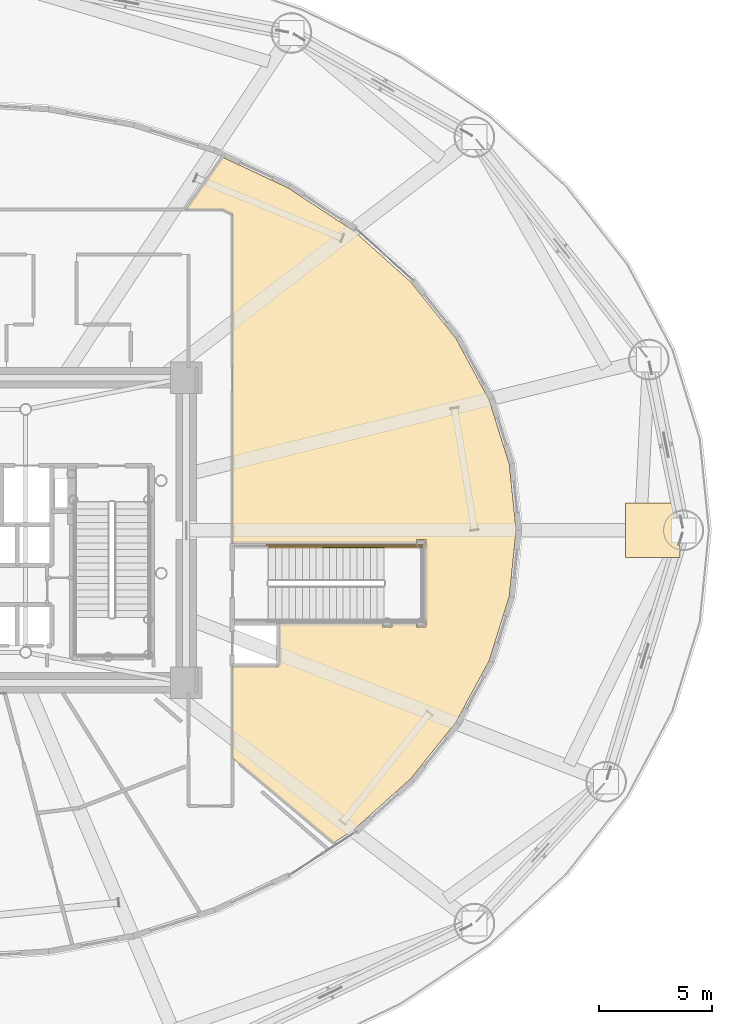
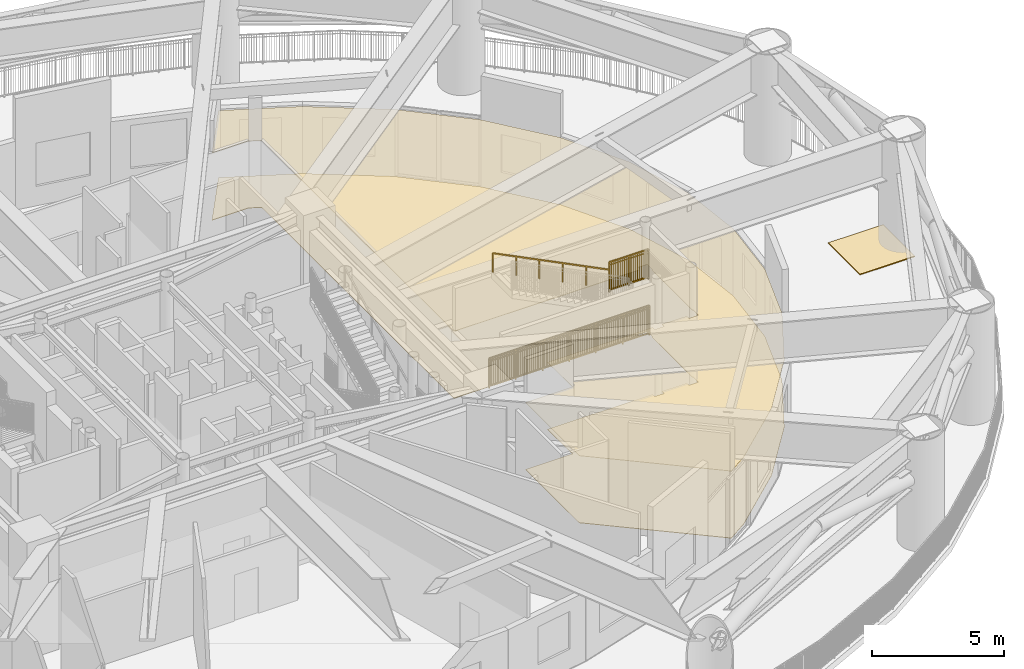
# One storey, part 39 of 39: 3 coverings, 3 railings.
"""IFC4 building model written with IfcOpenShell, lengths in metres."""

from ifc_helpers import new_model, si_unit, direction, frame, origin, origin_2d, place, context, subcontext, project, spatial, polyline, rectangle, outline, extrude, source, transform, mapped, material, layer, layer_set, type_object, element, save


model = new_model("IFC4")

# Units and contexts
model_context = context("Model", 3, precision=1e-05, world=origin(), true_north=direction((0.0, 1.0)))
body_context = subcontext(model_context, "Body", "Model", "MODEL_VIEW")
ifc_project = project(units=[si_unit("LENGTHUNIT", "METRE"), si_unit("AREAUNIT", "SQUARE_METRE"), si_unit("VOLUMEUNIT", "CUBIC_METRE"), si_unit("PLANEANGLEUNIT", "RADIAN"), si_unit("MASSUNIT", "GRAM", prefix="KILO")], contexts=[model_context])

# Site, building, storey
site_placement = place(None, origin())
site = spatial("IfcSite", under=ifc_project, at=site_placement, CompositionType="ELEMENT")
building_placement = place(site_placement, origin())
building = spatial("IfcBuilding", under=site, at=building_placement, Name="Linh Dai School and Residence Tower", CompositionType="ELEMENT")
storey_placement = place(building_placement, frame((0.0, 0.0, 27.0)))
storey = spatial("IfcBuildingStorey", under=building, at=storey_placement, Name="L06", CompositionType="ELEMENT", Elevation=27.0)

# Coverings
ifc_material_1 = material(Name="Mineral Fibre Acoustic Suspended Ceiling", Category="masonry")
ifc_layer_1 = layer(ifc_material_1, 0.02001953125)
ifc_layer_set_1 = layer_set([ifc_layer_1], Name="Mineral Fibre Acoustic Suspended Ceiling")
covering_type_1 = type_object("IfcCoveringType", Name="COV-CEIL-AC-20", PredefinedType="CEILING", material=ifc_layer_set_1)
covering_1_placement = place(storey_placement, frame((0.0, 0.0, 3.10009765625)))
element("IfcCovering", 1, at=covering_1_placement, inside=storey, type_object=covering_type_1, Name="L06 Indoor Wet-Weather Play Pavilion Suspended Ceiling", PredefinedType="CEILING", context=body_context, shape_type="SweptSolid", body=[
    extrude(outline(polyline([(55.882080078125, 16.004150390625), (53.38427734375, 13.763427734375), (52.47998046875, 13.171630859375), (48.0, 16.930908203125), (48.0, 21.0), (50.050048828125, 21.0), (50.050048828125, 22.8798828125), (54.646728515625, 22.8798828125), (54.646728515625, 22.716796875), (55.05322265625, 22.716796875), (55.05322265625, 22.8798828125), (56.146728515625, 22.8798828125), (56.146728515625, 22.716796875), (56.55322265625, 22.716796875), (56.55322265625, 23.123291015625), (56.52001953125, 23.123291015625), (56.52001953125, 26.1767578125), (56.55322265625, 26.1767578125), (56.55322265625, 26.583251953125), (56.146728515625, 26.583251953125), (56.146728515625, 26.419921875), (48.0, 26.419921875), (48.0, 40.98583984375), (47.543701171875, 41.199951171875), (45.94287109375, 41.199951171875), (47.5615234375, 43.511474609375), (50.45556640625, 42.15283203125), (53.38427734375, 40.236572265625), (55.882080078125, 37.995849609375), (57.888916015625, 35.4873046875), (59.35595703125, 32.773681640625), (60.249755859375, 29.921630859375), (60.550048828125, 27.0), (60.249755859375, 24.078369140625), (59.35595703125, 21.226318359375), (57.888916015625, 18.5126953125), (55.882080078125, 16.004150390625)])), origin(), (0.0, 0.0, 1.0), 0.02001953125),
])
ifc_material_2 = material(Name="Polished Terrazzo Floor Finish", Category="masonry")
ifc_layer_2 = layer(ifc_material_2, 0.02490234375)
ifc_layer_set_2 = layer_set([ifc_layer_2], Name="Polished Terrazzo Floor Finish")
covering_type_2 = type_object("IfcCoveringType", Name="COV-FLR-TRZ-25", PredefinedType="FLOORING", material=ifc_layer_set_2)
covering_2_placement = place(storey_placement, origin())
element("IfcCovering", 2, at=covering_2_placement, inside=storey, type_object=covering_type_2, Name="L06 Indoor Wet-Weather Play Pavilion Floor Finish", PredefinedType="FLOORING", context=body_context, shape_type="SweptSolid", body=[
    extrude(outline(polyline([(55.882080078125, 16.004150390625), (53.38427734375, 13.763427734375), (52.47998046875, 13.171630859375), (48.0, 16.930908203125), (48.0, 21.0), (50.050048828125, 21.0), (50.050048828125, 22.8798828125), (54.646728515625, 22.8798828125), (54.646728515625, 22.716796875), (55.05322265625, 22.716796875), (55.05322265625, 22.8798828125), (56.146728515625, 22.8798828125), (56.146728515625, 22.716796875), (56.55322265625, 22.716796875), (56.55322265625, 23.123291015625), (56.52001953125, 23.123291015625), (56.52001953125, 26.1767578125), (56.55322265625, 26.1767578125), (56.55322265625, 26.583251953125), (56.146728515625, 26.583251953125), (56.146728515625, 26.419921875), (48.0, 26.419921875), (48.0, 40.98583984375), (47.543701171875, 41.199951171875), (45.94287109375, 41.199951171875), (47.5615234375, 43.511474609375), (50.45556640625, 42.15283203125), (53.38427734375, 40.236572265625), (55.882080078125, 37.995849609375), (57.888916015625, 35.4873046875), (59.35595703125, 32.773681640625), (60.249755859375, 29.921630859375), (60.550048828125, 27.0), (60.249755859375, 24.078369140625), (59.35595703125, 21.226318359375), (57.888916015625, 18.5126953125), (55.882080078125, 16.004150390625)])), origin(), (0.0, 0.0, 1.0), 0.02001953125),
])
ifc_material_3 = material(Name="TPO Insulated Waterproofing Roof Membrane", Category="masonry")
ifc_layer_3 = layer(ifc_material_3, 0.044921875)
ifc_layer_set_3 = layer_set([ifc_layer_3], Name="TPO Insulated Waterproofing Roof Membrane")
covering_type_3 = type_object("IfcCoveringType", Name="COV-ROOF-MEM-45", PredefinedType="ROOFING", material=ifc_layer_set_3)
covering_3_placement = place(storey_placement, origin())
element("IfcCovering", 3, at=covering_3_placement, inside=storey, type_object=covering_type_3, Name="L06 Deck Waterproofing Membrane Zone", PredefinedType="ROOFING", context=body_context, shape_type="SweptSolid", body=[
    extrude(outline(polyline([(65.39990234375, 25.800048828125), (67.800048828125, 25.800048828125), (67.800048828125, 28.199951171875), (65.39990234375, 28.199951171875), (65.39990234375, 25.800048828125)])), origin(), (0.0, 0.0, 1.0), 0.044921875),
])

# Railings
ifc_material_4 = material(Name="Structural Steel S355JR", Category="steel")
railing_type_1 = type_object("IfcRailingType", Name="RL-ST-GUARD-1400", PredefinedType="GUARDRAIL", material=ifc_material_4)
shared_shape_1 = source(origin(), body_context, "Body", "SweptSolid", [
    extrude(rectangle(XDim=0.048095703125, YDim=0.048095703125, at=origin_2d()), frame((0.0, 0.0, 1.3759765625), z_axis=(1.0, 0.0, 0.0), x_axis=(0.0, 1.0, 0.0)), (0.0, 0.0, 1.0), 7.0),
    extrude(rectangle(XDim=0.048095703125, YDim=0.048095703125, at=origin_2d()), frame((0.0, 0.0, 0.10009765625), z_axis=(1.0, 0.0, 0.0), x_axis=(0.0, 1.0, 0.0)), (0.0, 0.0, 1.0), 7.0),
    extrude(rectangle(XDim=0.030029296875, YDim=0.030029296875, at=origin_2d()), frame((0.0, 0.0, 1.239990234375), z_axis=(1.0, 0.0, 0.0), x_axis=(0.0, 1.0, 0.0)), (0.0, 0.0, 1.0), 7.0),
    extrude(rectangle(XDim=0.02001953125, YDim=0.02001953125, at=origin_2d()), frame((0.09716796875, 0.0, 0.10009765625)), (0.0, 0.0, 1.0), 1.251708984375),
    extrude(rectangle(XDim=0.02001953125, YDim=0.02001953125, at=origin_2d()), frame((0.1943359375, 0.0, 0.10009765625)), (0.0, 0.0, 1.0), 1.251708984375),
    extrude(rectangle(XDim=0.02001953125, YDim=0.02001953125, at=origin_2d()), frame((0.291748046875, 0.0, 0.10009765625)), (0.0, 0.0, 1.0), 1.251708984375),
    extrude(rectangle(XDim=0.02001953125, YDim=0.02001953125, at=origin_2d()), frame((0.388916015625, 0.0, 0.10009765625)), (0.0, 0.0, 1.0), 1.251708984375),
    extrude(rectangle(XDim=0.02001953125, YDim=0.02001953125, at=origin_2d()), frame((0.486083984375, 0.0, 0.10009765625)), (0.0, 0.0, 1.0), 1.251708984375),
    extrude(rectangle(XDim=0.02001953125, YDim=0.02001953125, at=origin_2d()), frame((0.583251953125, 0.0, 0.10009765625)), (0.0, 0.0, 1.0), 1.251708984375),
    extrude(rectangle(XDim=0.02001953125, YDim=0.02001953125, at=origin_2d()), frame((0.6806640625, 0.0, 0.10009765625)), (0.0, 0.0, 1.0), 1.251708984375),
    extrude(rectangle(XDim=0.02001953125, YDim=0.02001953125, at=origin_2d()), frame((0.77783203125, 0.0, 0.10009765625)), (0.0, 0.0, 1.0), 1.251708984375),
    extrude(rectangle(XDim=0.02001953125, YDim=0.02001953125, at=origin_2d()), frame((0.875, 0.0, 0.10009765625)), (0.0, 0.0, 1.0), 1.251708984375),
    extrude(rectangle(XDim=0.02001953125, YDim=0.02001953125, at=origin_2d()), frame((0.97216796875, 0.0, 0.10009765625)), (0.0, 0.0, 1.0), 1.251708984375),
    extrude(rectangle(XDim=0.02001953125, YDim=0.02001953125, at=origin_2d()), frame((1.0693359375, 0.0, 0.10009765625)), (0.0, 0.0, 1.0), 1.251708984375),
    extrude(rectangle(XDim=0.02001953125, YDim=0.02001953125, at=origin_2d()), frame((1.263916015625, 0.0, 0.10009765625)), (0.0, 0.0, 1.0), 1.251708984375),
    extrude(rectangle(XDim=0.02001953125, YDim=0.02001953125, at=origin_2d()), frame((1.361083984375, 0.0, 0.10009765625)), (0.0, 0.0, 1.0), 1.251708984375),
    extrude(rectangle(XDim=0.02001953125, YDim=0.02001953125, at=origin_2d()), frame((1.458251953125, 0.0, 0.10009765625)), (0.0, 0.0, 1.0), 1.251708984375),
    extrude(rectangle(XDim=0.02001953125, YDim=0.02001953125, at=origin_2d()), frame((1.5556640625, 0.0, 0.10009765625)), (0.0, 0.0, 1.0), 1.251708984375),
    extrude(rectangle(XDim=0.02001953125, YDim=0.02001953125, at=origin_2d()), frame((1.65283203125, 0.0, 0.10009765625)), (0.0, 0.0, 1.0), 1.251708984375),
    extrude(rectangle(XDim=0.02001953125, YDim=0.02001953125, at=origin_2d()), frame((1.75, 0.0, 0.10009765625)), (0.0, 0.0, 1.0), 1.251708984375),
    extrude(rectangle(XDim=0.02001953125, YDim=0.02001953125, at=origin_2d()), frame((1.84716796875, 0.0, 0.10009765625)), (0.0, 0.0, 1.0), 1.251708984375),
    extrude(rectangle(XDim=0.02001953125, YDim=0.02001953125, at=origin_2d()), frame((1.9443359375, 0.0, 0.10009765625)), (0.0, 0.0, 1.0), 1.251708984375),
    extrude(rectangle(XDim=0.02001953125, YDim=0.02001953125, at=origin_2d()), frame((2.041748046875, 0.0, 0.10009765625)), (0.0, 0.0, 1.0), 1.251708984375),
    extrude(rectangle(XDim=0.02001953125, YDim=0.02001953125, at=origin_2d()), frame((2.138916015625, 0.0, 0.10009765625)), (0.0, 0.0, 1.0), 1.251708984375),
    extrude(rectangle(XDim=0.02001953125, YDim=0.02001953125, at=origin_2d()), frame((2.236083984375, 0.0, 0.10009765625)), (0.0, 0.0, 1.0), 1.251708984375),
    extrude(rectangle(XDim=0.02001953125, YDim=0.02001953125, at=origin_2d()), frame((2.4306640625, 0.0, 0.10009765625)), (0.0, 0.0, 1.0), 1.251708984375),
    extrude(rectangle(XDim=0.02001953125, YDim=0.02001953125, at=origin_2d()), frame((2.52783203125, 0.0, 0.10009765625)), (0.0, 0.0, 1.0), 1.251708984375),
    extrude(rectangle(XDim=0.02001953125, YDim=0.02001953125, at=origin_2d()), frame((2.625, 0.0, 0.10009765625)), (0.0, 0.0, 1.0), 1.251708984375),
    extrude(rectangle(XDim=0.02001953125, YDim=0.02001953125, at=origin_2d()), frame((2.72216796875, 0.0, 0.10009765625)), (0.0, 0.0, 1.0), 1.251708984375),
    extrude(rectangle(XDim=0.02001953125, YDim=0.02001953125, at=origin_2d()), frame((2.8193359375, 0.0, 0.10009765625)), (0.0, 0.0, 1.0), 1.251708984375),
    extrude(rectangle(XDim=0.02001953125, YDim=0.02001953125, at=origin_2d()), frame((2.916748046875, 0.0, 0.10009765625)), (0.0, 0.0, 1.0), 1.251708984375),
    extrude(rectangle(XDim=0.02001953125, YDim=0.02001953125, at=origin_2d()), frame((3.013916015625, 0.0, 0.10009765625)), (0.0, 0.0, 1.0), 1.251708984375),
    extrude(rectangle(XDim=0.02001953125, YDim=0.02001953125, at=origin_2d()), frame((3.111083984375, 0.0, 0.10009765625)), (0.0, 0.0, 1.0), 1.251708984375),
    extrude(rectangle(XDim=0.02001953125, YDim=0.02001953125, at=origin_2d()), frame((3.208251953125, 0.0, 0.10009765625)), (0.0, 0.0, 1.0), 1.251708984375),
    extrude(rectangle(XDim=0.02001953125, YDim=0.02001953125, at=origin_2d()), frame((3.3056640625, 0.0, 0.10009765625)), (0.0, 0.0, 1.0), 1.251708984375),
    extrude(rectangle(XDim=0.02001953125, YDim=0.02001953125, at=origin_2d()), frame((3.40283203125, 0.0, 0.10009765625)), (0.0, 0.0, 1.0), 1.251708984375),
    extrude(rectangle(XDim=0.02001953125, YDim=0.02001953125, at=origin_2d()), frame((3.59716796875, 0.0, 0.10009765625)), (0.0, 0.0, 1.0), 1.251708984375),
    extrude(rectangle(XDim=0.02001953125, YDim=0.02001953125, at=origin_2d()), frame((3.6943359375, 0.0, 0.10009765625)), (0.0, 0.0, 1.0), 1.251708984375),
    extrude(rectangle(XDim=0.02001953125, YDim=0.02001953125, at=origin_2d()), frame((3.791748046875, 0.0, 0.10009765625)), (0.0, 0.0, 1.0), 1.251708984375),
    extrude(rectangle(XDim=0.02001953125, YDim=0.02001953125, at=origin_2d()), frame((3.888916015625, 0.0, 0.10009765625)), (0.0, 0.0, 1.0), 1.251708984375),
    extrude(rectangle(XDim=0.02001953125, YDim=0.02001953125, at=origin_2d()), frame((3.986083984375, 0.0, 0.10009765625)), (0.0, 0.0, 1.0), 1.251708984375),
    extrude(rectangle(XDim=0.02001953125, YDim=0.02001953125, at=origin_2d()), frame((4.083251953125, 0.0, 0.10009765625)), (0.0, 0.0, 1.0), 1.251708984375),
    extrude(rectangle(XDim=0.02001953125, YDim=0.02001953125, at=origin_2d()), frame((4.1806640625, 0.0, 0.10009765625)), (0.0, 0.0, 1.0), 1.251708984375),
    extrude(rectangle(XDim=0.02001953125, YDim=0.02001953125, at=origin_2d()), frame((4.27783203125, 0.0, 0.10009765625)), (0.0, 0.0, 1.0), 1.251708984375),
    extrude(rectangle(XDim=0.02001953125, YDim=0.02001953125, at=origin_2d()), frame((4.375, 0.0, 0.10009765625)), (0.0, 0.0, 1.0), 1.251708984375),
    extrude(rectangle(XDim=0.02001953125, YDim=0.02001953125, at=origin_2d()), frame((4.47216796875, 0.0, 0.10009765625)), (0.0, 0.0, 1.0), 1.251708984375),
    extrude(rectangle(XDim=0.02001953125, YDim=0.02001953125, at=origin_2d()), frame((4.5693359375, 0.0, 0.10009765625)), (0.0, 0.0, 1.0), 1.251708984375),
    extrude(rectangle(XDim=0.02001953125, YDim=0.02001953125, at=origin_2d()), frame((4.763916015625, 0.0, 0.10009765625)), (0.0, 0.0, 1.0), 1.251708984375),
    extrude(rectangle(XDim=0.02001953125, YDim=0.02001953125, at=origin_2d()), frame((4.861083984375, 0.0, 0.10009765625)), (0.0, 0.0, 1.0), 1.251708984375),
    extrude(rectangle(XDim=0.02001953125, YDim=0.02001953125, at=origin_2d()), frame((4.958251953125, 0.0, 0.10009765625)), (0.0, 0.0, 1.0), 1.251708984375),
    extrude(rectangle(XDim=0.02001953125, YDim=0.02001953125, at=origin_2d()), frame((5.0556640625, 0.0, 0.10009765625)), (0.0, 0.0, 1.0), 1.251708984375),
    extrude(rectangle(XDim=0.02001953125, YDim=0.02001953125, at=origin_2d()), frame((5.15283203125, 0.0, 0.10009765625)), (0.0, 0.0, 1.0), 1.251708984375),
    extrude(rectangle(XDim=0.02001953125, YDim=0.02001953125, at=origin_2d()), frame((5.25, 0.0, 0.10009765625)), (0.0, 0.0, 1.0), 1.251708984375),
    extrude(rectangle(XDim=0.02001953125, YDim=0.02001953125, at=origin_2d()), frame((5.34716796875, 0.0, 0.10009765625)), (0.0, 0.0, 1.0), 1.251708984375),
    extrude(rectangle(XDim=0.02001953125, YDim=0.02001953125, at=origin_2d()), frame((5.4443359375, 0.0, 0.10009765625)), (0.0, 0.0, 1.0), 1.251708984375),
    extrude(rectangle(XDim=0.02001953125, YDim=0.02001953125, at=origin_2d()), frame((5.541748046875, 0.0, 0.10009765625)), (0.0, 0.0, 1.0), 1.251708984375),
    extrude(rectangle(XDim=0.02001953125, YDim=0.02001953125, at=origin_2d()), frame((5.638916015625, 0.0, 0.10009765625)), (0.0, 0.0, 1.0), 1.251708984375),
    extrude(rectangle(XDim=0.02001953125, YDim=0.02001953125, at=origin_2d()), frame((5.736083984375, 0.0, 0.10009765625)), (0.0, 0.0, 1.0), 1.251708984375),
    extrude(rectangle(XDim=0.02001953125, YDim=0.02001953125, at=origin_2d()), frame((5.9306640625, 0.0, 0.10009765625)), (0.0, 0.0, 1.0), 1.251708984375),
    extrude(rectangle(XDim=0.02001953125, YDim=0.02001953125, at=origin_2d()), frame((6.02783203125, 0.0, 0.10009765625)), (0.0, 0.0, 1.0), 1.251708984375),
    extrude(rectangle(XDim=0.02001953125, YDim=0.02001953125, at=origin_2d()), frame((6.125, 0.0, 0.10009765625)), (0.0, 0.0, 1.0), 1.251708984375),
    extrude(rectangle(XDim=0.02001953125, YDim=0.02001953125, at=origin_2d()), frame((6.22216796875, 0.0, 0.10009765625)), (0.0, 0.0, 1.0), 1.251708984375),
    extrude(rectangle(XDim=0.02001953125, YDim=0.02001953125, at=origin_2d()), frame((6.3193359375, 0.0, 0.10009765625)), (0.0, 0.0, 1.0), 1.251708984375),
    extrude(rectangle(XDim=0.02001953125, YDim=0.02001953125, at=origin_2d()), frame((6.416748046875, 0.0, 0.10009765625)), (0.0, 0.0, 1.0), 1.251708984375),
    extrude(rectangle(XDim=0.02001953125, YDim=0.02001953125, at=origin_2d()), frame((6.513916015625, 0.0, 0.10009765625)), (0.0, 0.0, 1.0), 1.251708984375),
    extrude(rectangle(XDim=0.02001953125, YDim=0.02001953125, at=origin_2d()), frame((6.611083984375, 0.0, 0.10009765625)), (0.0, 0.0, 1.0), 1.251708984375),
    extrude(rectangle(XDim=0.02001953125, YDim=0.02001953125, at=origin_2d()), frame((6.708251953125, 0.0, 0.10009765625)), (0.0, 0.0, 1.0), 1.251708984375),
    extrude(rectangle(XDim=0.02001953125, YDim=0.02001953125, at=origin_2d()), frame((6.8056640625, 0.0, 0.10009765625)), (0.0, 0.0, 1.0), 1.251708984375),
    extrude(rectangle(XDim=0.02001953125, YDim=0.02001953125, at=origin_2d()), frame((6.90283203125, 0.0, 0.10009765625)), (0.0, 0.0, 1.0), 1.251708984375),
    extrude(rectangle(XDim=0.0419921875, YDim=0.0419921875, at=origin_2d()), origin(), (0.0, 0.0, 1.0), 1.3759765625),
    extrude(rectangle(XDim=0.0419921875, YDim=0.0419921875, at=origin_2d()), frame((1.166748046875, 0.0, 0.0)), (0.0, 0.0, 1.0), 1.3759765625),
    extrude(rectangle(XDim=0.0419921875, YDim=0.0419921875, at=origin_2d()), frame((2.333251953125, 0.0, 0.0)), (0.0, 0.0, 1.0), 1.3759765625),
    extrude(rectangle(XDim=0.0419921875, YDim=0.0419921875, at=origin_2d()), frame((3.5, 0.0, 0.0)), (0.0, 0.0, 1.0), 1.3759765625),
    extrude(rectangle(XDim=0.0419921875, YDim=0.0419921875, at=origin_2d()), frame((4.666748046875, 0.0, 0.0)), (0.0, 0.0, 1.0), 1.3759765625),
    extrude(rectangle(XDim=0.0419921875, YDim=0.0419921875, at=origin_2d()), frame((5.833251953125, 0.0, 0.0)), (0.0, 0.0, 1.0), 1.3759765625),
    extrude(rectangle(XDim=0.0419921875, YDim=0.0419921875, at=origin_2d()), frame((7.0, 0.0, 0.0)), (0.0, 0.0, 1.0), 1.3759765625),
])
railing_1_placement = place(storey_placement, frame((49.5, 26.35009765625, 0.0)))
element("IfcRailing", 4, at=railing_1_placement, inside=storey, type_object=railing_type_1, Name="L06 STS2 stair guard 11", PredefinedType="GUARDRAIL", context=body_context, shape_type="MappedRepresentation", body=[
    mapped(shared_shape_1, transform((0.0, 0.0, 0.0), x_axis=(1.0, 0.0, 0.0), y_axis=(0.0, 1.0, 0.0), z_axis=(0.0, 0.0, 1.0), scale=1.0)),
])
shared_shape_2 = source(origin(), body_context, "Body", "SweptSolid", [
    extrude(rectangle(XDim=0.048095703125, YDim=0.048095703125, at=origin_2d()), frame((0.0, 0.0, 1.3759765625), z_axis=(1.0, 0.0, 0.0), x_axis=(0.0, 1.0, 0.0)), (0.0, 0.0, 1.0), 1.699951171875),
    extrude(rectangle(XDim=0.048095703125, YDim=0.048095703125, at=origin_2d()), frame((0.0, 0.0, 0.10009765625), z_axis=(1.0, 0.0, 0.0), x_axis=(0.0, 1.0, 0.0)), (0.0, 0.0, 1.0), 1.699951171875),
    extrude(rectangle(XDim=0.030029296875, YDim=0.030029296875, at=origin_2d()), frame((0.0, 0.0, 1.239990234375), z_axis=(1.0, 0.0, 0.0), x_axis=(0.0, 1.0, 0.0)), (0.0, 0.0, 1.0), 1.699951171875),
    extrude(rectangle(XDim=0.02001953125, YDim=0.02001953125, at=origin_2d()), frame((0.094482421875, 0.0, 0.10009765625)), (0.0, 0.0, 1.0), 1.251708984375),
    extrude(rectangle(XDim=0.02001953125, YDim=0.02001953125, at=origin_2d()), frame((0.18896484375, 0.0, 0.10009765625)), (0.0, 0.0, 1.0), 1.251708984375),
    extrude(rectangle(XDim=0.02001953125, YDim=0.02001953125, at=origin_2d()), frame((0.283203125, 0.0, 0.10009765625)), (0.0, 0.0, 1.0), 1.251708984375),
    extrude(rectangle(XDim=0.02001953125, YDim=0.02001953125, at=origin_2d()), frame((0.377685546875, 0.0, 0.10009765625)), (0.0, 0.0, 1.0), 1.251708984375),
    extrude(rectangle(XDim=0.02001953125, YDim=0.02001953125, at=origin_2d()), frame((0.47216796875, 0.0, 0.10009765625)), (0.0, 0.0, 1.0), 1.251708984375),
    extrude(rectangle(XDim=0.02001953125, YDim=0.02001953125, at=origin_2d()), frame((0.566650390625, 0.0, 0.10009765625)), (0.0, 0.0, 1.0), 1.251708984375),
    extrude(rectangle(XDim=0.02001953125, YDim=0.02001953125, at=origin_2d()), frame((0.6611328125, 0.0, 0.10009765625)), (0.0, 0.0, 1.0), 1.251708984375),
    extrude(rectangle(XDim=0.02001953125, YDim=0.02001953125, at=origin_2d()), frame((0.755615234375, 0.0, 0.10009765625)), (0.0, 0.0, 1.0), 1.251708984375),
    extrude(rectangle(XDim=0.02001953125, YDim=0.02001953125, at=origin_2d()), frame((0.9443359375, 0.0, 0.10009765625)), (0.0, 0.0, 1.0), 1.251708984375),
    extrude(rectangle(XDim=0.02001953125, YDim=0.02001953125, at=origin_2d()), frame((1.038818359375, 0.0, 0.10009765625)), (0.0, 0.0, 1.0), 1.251708984375),
    extrude(rectangle(XDim=0.02001953125, YDim=0.02001953125, at=origin_2d()), frame((1.13330078125, 0.0, 0.10009765625)), (0.0, 0.0, 1.0), 1.251708984375),
    extrude(rectangle(XDim=0.02001953125, YDim=0.02001953125, at=origin_2d()), frame((1.227783203125, 0.0, 0.10009765625)), (0.0, 0.0, 1.0), 1.251708984375),
    extrude(rectangle(XDim=0.02001953125, YDim=0.02001953125, at=origin_2d()), frame((1.322265625, 0.0, 0.10009765625)), (0.0, 0.0, 1.0), 1.251708984375),
    extrude(rectangle(XDim=0.02001953125, YDim=0.02001953125, at=origin_2d()), frame((1.41650390625, 0.0, 0.10009765625)), (0.0, 0.0, 1.0), 1.251708984375),
    extrude(rectangle(XDim=0.02001953125, YDim=0.02001953125, at=origin_2d()), frame((1.510986328125, 0.0, 0.10009765625)), (0.0, 0.0, 1.0), 1.251708984375),
    extrude(rectangle(XDim=0.02001953125, YDim=0.02001953125, at=origin_2d()), frame((1.60546875, 0.0, 0.10009765625)), (0.0, 0.0, 1.0), 1.251708984375),
    extrude(rectangle(XDim=0.0419921875, YDim=0.0419921875, at=origin_2d()), origin(), (0.0, 0.0, 1.0), 1.3759765625),
    extrude(rectangle(XDim=0.0419921875, YDim=0.0419921875, at=origin_2d()), frame((0.85009765625, 0.0, 0.0)), (0.0, 0.0, 1.0), 1.3759765625),
    extrude(rectangle(XDim=0.0419921875, YDim=0.0419921875, at=origin_2d()), frame((1.699951171875, 0.0, 0.0)), (0.0, 0.0, 1.0), 1.3759765625),
])
railing_2_placement = place(storey_placement, frame((54.699951171875, 26.25, 2.699951171875)))
element("IfcRailing", 5, at=railing_2_placement, inside=storey, type_object=railing_type_1, Name="L06 STS2 stair guard 4", PredefinedType="GUARDRAIL", context=body_context, shape_type="MappedRepresentation", body=[
    mapped(shared_shape_2, transform((0.0, 0.0, 0.0), x_axis=(1.0, 0.0, 0.0), y_axis=(0.0, 1.0, 0.0), z_axis=(0.0, 0.0, 1.0), scale=1.0)),
])
ifc_material_5 = material(Name="Brushed Stainless Steel Handrail", Category="steel")
railing_type_2 = type_object("IfcRailingType", Name="RL-ST-HANDRAIL-900", PredefinedType="HANDRAIL", material=ifc_material_5)
shared_shape_3 = source(origin(), body_context, "Body", "SweptSolid", [
    extrude(rectangle(XDim=0.048095703125, YDim=0.048095703125, at=origin_2d()), frame((0.0, 0.0, 0.8759765625), z_axis=(-0.894435754537, 0.0, 0.447196468016), x_axis=(0.0, -1.0, 0.0)), (0.0, 0.0, 1.0), 5.70166015625),
    extrude(rectangle(XDim=0.0419921875, YDim=0.0419921875, at=origin_2d()), origin(), (0.0, 0.0, 1.0), 0.8759765625),
    extrude(rectangle(XDim=0.0419921875, YDim=0.0419921875, at=origin_2d()), frame((-1.02001953125, 0.0, 0.510009765625)), (0.0, 0.0, 1.0), 0.8759765625),
    extrude(rectangle(XDim=0.0419921875, YDim=0.0419921875, at=origin_2d()), frame((-2.0400390625, 0.0, 1.02001953125)), (0.0, 0.0, 1.0), 0.8759765625),
    extrude(rectangle(XDim=0.0419921875, YDim=0.0419921875, at=origin_2d()), frame((-3.059814453125, 0.0, 1.52978515625)), (0.0, 0.0, 1.0), 0.8759765625),
    extrude(rectangle(XDim=0.0419921875, YDim=0.0419921875, at=origin_2d()), frame((-4.079833984375, 0.0, 2.039794921875)), (0.0, 0.0, 1.0), 0.8759765625),
    extrude(rectangle(XDim=0.0419921875, YDim=0.0419921875, at=origin_2d()), frame((-5.099853515625, 0.0, 2.5498046875)), (0.0, 0.0, 1.0), 0.8759765625),
])
railing_3_placement = place(storey_placement, frame((54.699951171875, 26.25, 2.85009765625)))
element("IfcRailing", 6, at=railing_3_placement, inside=storey, type_object=railing_type_2, Name="L06 STS2 stair handrail 2", PredefinedType="HANDRAIL", context=body_context, shape_type="MappedRepresentation", body=[
    mapped(shared_shape_3, transform((0.0, 0.0, 0.0), x_axis=(1.0, 0.0, 0.0), y_axis=(0.0, 1.0, 0.0), z_axis=(0.0, 0.0, 1.0), scale=1.0)),
])

save(model, "model.ifc")
